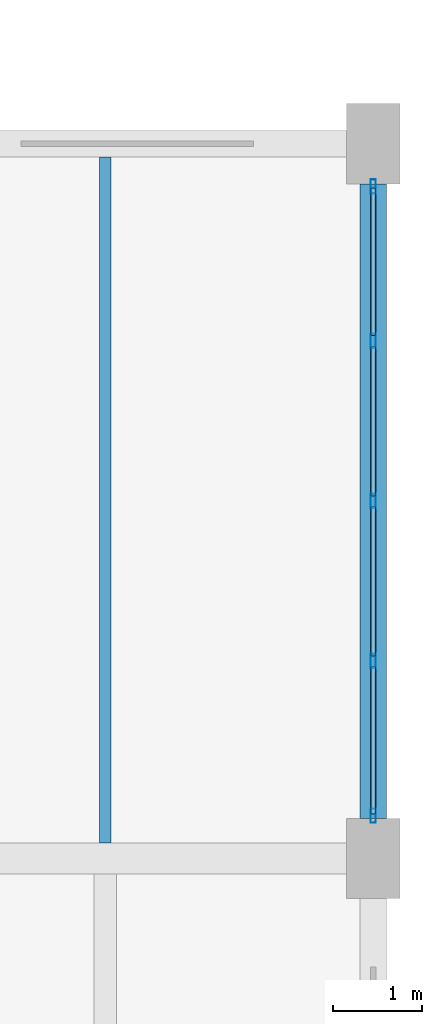
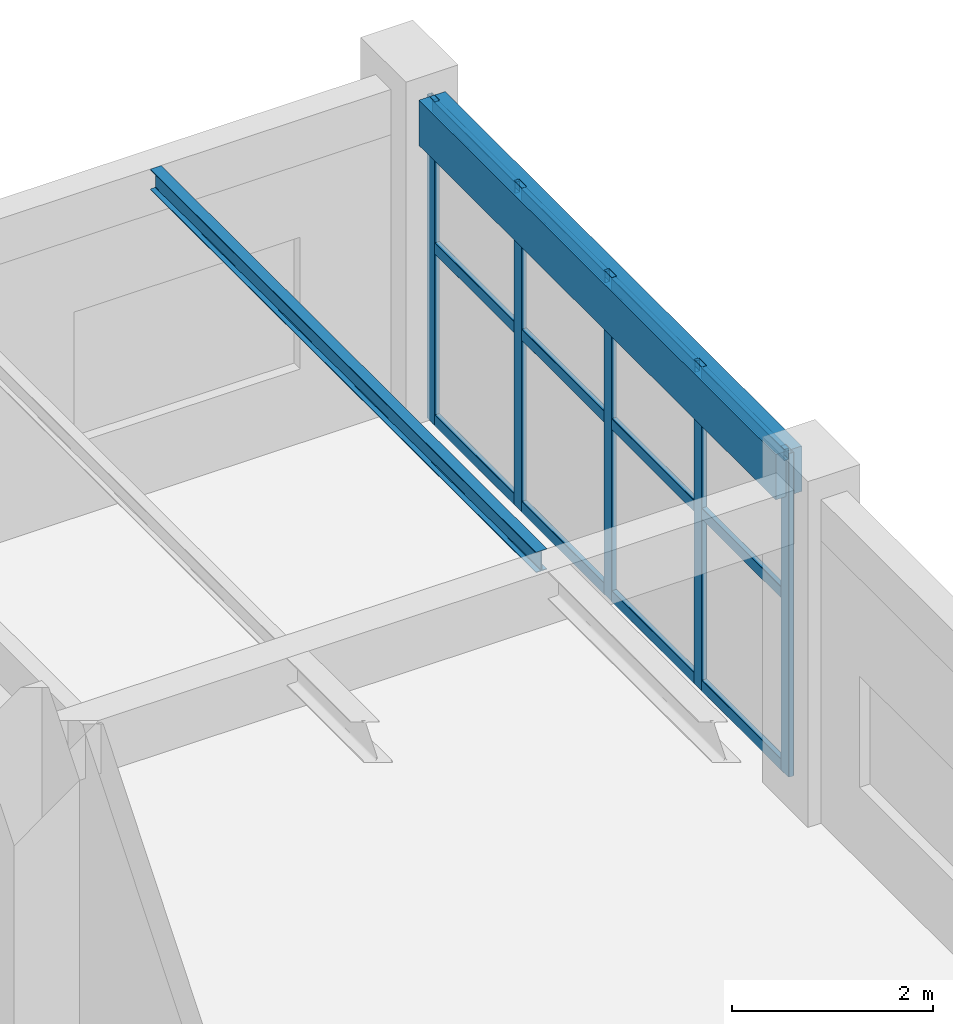
# One storey, part 98 of 128: 17 members, 2 beams, 1 element without a shape of its own.
"""IFC4 building model written with IfcOpenShell, lengths in metres."""

from ifc_helpers import new_model, si_unit, derived_unit, direction, frame, origin, origin_2d, place, context, subcontext, project, spatial, rectangle, hollow_rectangle, i_section, extrude, material, material_profile, profile_set, type_object, element, aggregate, save


model = new_model("IFC4")

# Units and contexts
model_context = context("Model", 3, precision=1e-05, world=origin(), true_north=direction((0.0, 1.0)))
body_context = subcontext(model_context, "Body", "Model", "MODEL_VIEW")
ifc_project = project(units=[si_unit("LENGTHUNIT", "METRE"), si_unit("AREAUNIT", "SQUARE_METRE"), si_unit("VOLUMEUNIT", "CUBIC_METRE"), si_unit("PLANEANGLEUNIT", "RADIAN"), si_unit("MASSUNIT", "GRAM", prefix="KILO"), derived_unit("THERMALTRANSMITTANCEUNIT", [(si_unit("MASSUNIT", "GRAM", prefix="KILO"), 1), (si_unit("TIMEUNIT", "SECOND"), -3), (si_unit("THERMODYNAMICTEMPERATUREUNIT", "KELVIN"), -1)])], contexts=[model_context])

# Site, building, storey
site_placement = place(None, origin())
site = spatial("IfcSite", under=ifc_project, at=site_placement, CompositionType="ELEMENT")
building_placement = place(site_placement, origin())
building = spatial("IfcBuilding", under=site, at=building_placement, Name="Zhenchuan Archway Interchange", CompositionType="ELEMENT")
storey_placement = place(building_placement, frame((0.0, 0.0, 14.39990234375)))
storey = spatial("IfcBuildingStorey", under=building, at=storey_placement, Name="L03", CompositionType="ELEMENT", Elevation=14.39990234375)

# Curtain wall, members
ifc_material_1 = material(Name="Anodised Aluminium", Category="aluminium")
curtain_wall_type = type_object("IfcCurtainWallType", Name="CW_UNIT_3", PredefinedType="NOTDEFINED", material=ifc_material_1)
curtain_wall_placement = place(storey_placement, origin())
curtain_wall = element("IfcCurtainWall", 1, at=curtain_wall_placement, inside=storey, type_object=curtain_wall_type, Name="Unitised curtain wall CW:L03:178", PredefinedType="NOTDEFINED")
ifc_material_profile_1 = material_profile(ifc_material_1, hollow_rectangle(XDim=0.06005859375, YDim=0.159912109375, WallThickness=0.00390625, InnerFilletRadius=0.00390625, OuterFilletRadius=0.008056640625, at=origin_2d()), Name="ALU 160x60x4")
ifc_profile_set_1 = profile_set([ifc_material_profile_1], Name="Anodised Aluminium")
member_type_1 = type_object("IfcMemberType", Name="CW_MUL_150", PredefinedType="MULLION", material=ifc_profile_set_1)
member_1_placement = place(storey_placement, frame((171.0, 103.52197265625, 0.0), z_axis=(0.0, 0.0, 1.0), x_axis=(1.0, 0.0, 0.0)))
member_1 = element("IfcMember", 2, at=member_1_placement, type_object=member_type_1, Name="CW:L03:178 mullion 0", PredefinedType="MULLION", context=body_context, shape_type="SweptSolid", body=[
    extrude(hollow_rectangle(XDim=0.06005859375, YDim=0.159912109375, WallThickness=0.00390625, InnerFilletRadius=0.00390625, OuterFilletRadius=0.008056640625, at=origin_2d()), origin(), (0.0, 0.0, 1.0), 3.93017578125),
])
member_2_placement = place(storey_placement, frame((171.0, 101.791015625, 0.0), z_axis=(0.0, 0.0, 1.0), x_axis=(1.0, 0.0, 0.0)))
member_2 = element("IfcMember", 3, at=member_2_placement, type_object=member_type_1, Name="CW:L03:178 mullion 1", PredefinedType="MULLION", context=body_context, shape_type="SweptSolid", body=[
    extrude(hollow_rectangle(XDim=0.06005859375, YDim=0.159912109375, WallThickness=0.00390625, InnerFilletRadius=0.00390625, OuterFilletRadius=0.008056640625, at=origin_2d()), origin(), (0.0, 0.0, 1.0), 3.93017578125),
])
member_3_placement = place(storey_placement, frame((171.0, 100.0, 0.0), z_axis=(0.0, 0.0, 1.0), x_axis=(1.0, 0.0, 0.0)))
member_3 = element("IfcMember", 4, at=member_3_placement, type_object=member_type_1, Name="CW:L03:178 mullion 2", PredefinedType="MULLION", context=body_context, shape_type="SweptSolid", body=[
    extrude(hollow_rectangle(XDim=0.06005859375, YDim=0.159912109375, WallThickness=0.00390625, InnerFilletRadius=0.00390625, OuterFilletRadius=0.008056640625, at=origin_2d()), origin(), (0.0, 0.0, 1.0), 3.93017578125),
])
member_4_placement = place(storey_placement, frame((171.0, 98.208984375, 0.0), z_axis=(0.0, 0.0, 1.0), x_axis=(1.0, 0.0, 0.0)))
member_4 = element("IfcMember", 5, at=member_4_placement, type_object=member_type_1, Name="CW:L03:178 mullion 3", PredefinedType="MULLION", context=body_context, shape_type="SweptSolid", body=[
    extrude(hollow_rectangle(XDim=0.06005859375, YDim=0.159912109375, WallThickness=0.00390625, InnerFilletRadius=0.00390625, OuterFilletRadius=0.008056640625, at=origin_2d()), origin(), (0.0, 0.0, 1.0), 3.93017578125),
])
member_5_placement = place(storey_placement, frame((171.0, 96.47802734375, 0.0), z_axis=(0.0, 0.0, 1.0), x_axis=(1.0, 0.0, 0.0)))
member_5 = element("IfcMember", 6, at=member_5_placement, type_object=member_type_1, Name="CW:L03:178 mullion 4", PredefinedType="MULLION", context=body_context, shape_type="SweptSolid", body=[
    extrude(hollow_rectangle(XDim=0.06005859375, YDim=0.159912109375, WallThickness=0.00390625, InnerFilletRadius=0.00390625, OuterFilletRadius=0.008056640625, at=origin_2d()), origin(), (0.0, 0.0, 1.0), 3.93017578125),
])
ifc_material_profile_2 = material_profile(ifc_material_1, hollow_rectangle(XDim=0.06005859375, YDim=0.139892578125, WallThickness=0.00341796875, InnerFilletRadius=0.00341796875, OuterFilletRadius=0.007080078125, at=origin_2d()), Name="ALU 140x60x3.5")
ifc_profile_set_2 = profile_set([ifc_material_profile_2], Name="Anodised Aluminium")
member_type_2 = type_object("IfcMemberType", Name="CW_TRN_140", PredefinedType="USERDEFINED", material=ifc_profile_set_2)
member_6_placement = place(storey_placement, frame((171.0, 103.501953125, 0.06005859375), z_axis=(0.0, -1.0, 0.0), x_axis=(1.0, 0.0, 0.0)))
member_6 = element("IfcMember", 7, at=member_6_placement, type_object=member_type_2, Name="CW:L03:178 transom 0-1", ObjectType="TRANSOM", PredefinedType="USERDEFINED", context=body_context, shape_type="SweptSolid", body=[
    extrude(hollow_rectangle(XDim=0.06005859375, YDim=0.139892578125, WallThickness=0.00341796875, InnerFilletRadius=0.00341796875, OuterFilletRadius=0.007080078125, at=origin_2d()), origin(), (0.0, 0.0, 1.0), 1.65087890625),
])
member_7_placement = place(storey_placement, frame((171.0, 103.501953125, 2.150634765625), z_axis=(0.0, -1.0, 0.0), x_axis=(1.0, 0.0, 0.0)))
member_7 = element("IfcMember", 8, at=member_7_placement, type_object=member_type_2, Name="CW:L03:178 transom 0-2", ObjectType="TRANSOM", PredefinedType="USERDEFINED", context=body_context, shape_type="SweptSolid", body=[
    extrude(hollow_rectangle(XDim=0.06005859375, YDim=0.139892578125, WallThickness=0.00341796875, InnerFilletRadius=0.00341796875, OuterFilletRadius=0.007080078125, at=origin_2d()), origin(), (0.0, 0.0, 1.0), 1.65087890625),
])
member_8_placement = place(storey_placement, frame((171.0, 103.501953125, 3.85009765625), z_axis=(0.0, -1.0, 0.0), x_axis=(1.0, 0.0, 0.0)))
member_8 = element("IfcMember", 9, at=member_8_placement, type_object=member_type_2, Name="CW:L03:178 transom 0-3", ObjectType="TRANSOM", PredefinedType="USERDEFINED", context=body_context, shape_type="SweptSolid", body=[
    extrude(hollow_rectangle(XDim=0.06005859375, YDim=0.139892578125, WallThickness=0.00341796875, InnerFilletRadius=0.00341796875, OuterFilletRadius=0.007080078125, at=origin_2d()), origin(), (0.0, 0.0, 1.0), 1.65087890625),
])
member_9_placement = place(storey_placement, frame((171.0, 101.73095703125, 0.06005859375), z_axis=(0.0, -1.0, 0.0), x_axis=(1.0, 0.0, 0.0)))
member_9 = element("IfcMember", 10, at=member_9_placement, type_object=member_type_2, Name="CW:L03:178 transom 1-1", ObjectType="TRANSOM", PredefinedType="USERDEFINED", context=body_context, shape_type="SweptSolid", body=[
    extrude(hollow_rectangle(XDim=0.06005859375, YDim=0.139892578125, WallThickness=0.00341796875, InnerFilletRadius=0.00341796875, OuterFilletRadius=0.007080078125, at=origin_2d()), origin(), (0.0, 0.0, 1.0), 1.6708984375),
])
member_10_placement = place(storey_placement, frame((171.0, 101.73095703125, 2.150634765625), z_axis=(0.0, -1.0, 0.0), x_axis=(1.0, 0.0, 0.0)))
member_10 = element("IfcMember", 11, at=member_10_placement, type_object=member_type_2, Name="CW:L03:178 transom 1-2", ObjectType="TRANSOM", PredefinedType="USERDEFINED", context=body_context, shape_type="SweptSolid", body=[
    extrude(hollow_rectangle(XDim=0.06005859375, YDim=0.139892578125, WallThickness=0.00341796875, InnerFilletRadius=0.00341796875, OuterFilletRadius=0.007080078125, at=origin_2d()), origin(), (0.0, 0.0, 1.0), 1.6708984375),
])
member_11_placement = place(storey_placement, frame((171.0, 101.73095703125, 3.85009765625), z_axis=(0.0, -1.0, 0.0), x_axis=(1.0, 0.0, 0.0)))
member_11 = element("IfcMember", 12, at=member_11_placement, type_object=member_type_2, Name="CW:L03:178 transom 1-3", ObjectType="TRANSOM", PredefinedType="USERDEFINED", context=body_context, shape_type="SweptSolid", body=[
    extrude(hollow_rectangle(XDim=0.06005859375, YDim=0.139892578125, WallThickness=0.00341796875, InnerFilletRadius=0.00341796875, OuterFilletRadius=0.007080078125, at=origin_2d()), origin(), (0.0, 0.0, 1.0), 1.6708984375),
])
member_12_placement = place(storey_placement, frame((171.0, 99.93994140625, 0.06005859375), z_axis=(0.0, -1.0, 0.0), x_axis=(1.0, 0.0, 0.0)))
member_12 = element("IfcMember", 13, at=member_12_placement, type_object=member_type_2, Name="CW:L03:178 transom 2-1", ObjectType="TRANSOM", PredefinedType="USERDEFINED", context=body_context, shape_type="SweptSolid", body=[
    extrude(hollow_rectangle(XDim=0.06005859375, YDim=0.139892578125, WallThickness=0.00341796875, InnerFilletRadius=0.00341796875, OuterFilletRadius=0.007080078125, at=origin_2d()), origin(), (0.0, 0.0, 1.0), 1.6708984375),
])
member_13_placement = place(storey_placement, frame((171.0, 99.93994140625, 2.150634765625), z_axis=(0.0, -1.0, 0.0), x_axis=(1.0, 0.0, 0.0)))
member_13 = element("IfcMember", 14, at=member_13_placement, type_object=member_type_2, Name="CW:L03:178 transom 2-2", ObjectType="TRANSOM", PredefinedType="USERDEFINED", context=body_context, shape_type="SweptSolid", body=[
    extrude(hollow_rectangle(XDim=0.06005859375, YDim=0.139892578125, WallThickness=0.00341796875, InnerFilletRadius=0.00341796875, OuterFilletRadius=0.007080078125, at=origin_2d()), origin(), (0.0, 0.0, 1.0), 1.6708984375),
])
member_14_placement = place(storey_placement, frame((171.0, 99.93994140625, 3.85009765625), z_axis=(0.0, -1.0, 0.0), x_axis=(1.0, 0.0, 0.0)))
member_14 = element("IfcMember", 15, at=member_14_placement, type_object=member_type_2, Name="CW:L03:178 transom 2-3", ObjectType="TRANSOM", PredefinedType="USERDEFINED", context=body_context, shape_type="SweptSolid", body=[
    extrude(hollow_rectangle(XDim=0.06005859375, YDim=0.139892578125, WallThickness=0.00341796875, InnerFilletRadius=0.00341796875, OuterFilletRadius=0.007080078125, at=origin_2d()), origin(), (0.0, 0.0, 1.0), 1.6708984375),
])
member_15_placement = place(storey_placement, frame((171.0, 98.14892578125, 0.06005859375), z_axis=(0.0, -1.0, 0.0), x_axis=(1.0, 0.0, 0.0)))
member_15 = element("IfcMember", 16, at=member_15_placement, type_object=member_type_2, Name="CW:L03:178 transom 3-1", ObjectType="TRANSOM", PredefinedType="USERDEFINED", context=body_context, shape_type="SweptSolid", body=[
    extrude(hollow_rectangle(XDim=0.06005859375, YDim=0.139892578125, WallThickness=0.00341796875, InnerFilletRadius=0.00341796875, OuterFilletRadius=0.007080078125, at=origin_2d()), origin(), (0.0, 0.0, 1.0), 1.65087890625),
])
member_16_placement = place(storey_placement, frame((171.0, 98.14892578125, 2.150634765625), z_axis=(0.0, -1.0, 0.0), x_axis=(1.0, 0.0, 0.0)))
member_16 = element("IfcMember", 17, at=member_16_placement, type_object=member_type_2, Name="CW:L03:178 transom 3-2", ObjectType="TRANSOM", PredefinedType="USERDEFINED", context=body_context, shape_type="SweptSolid", body=[
    extrude(hollow_rectangle(XDim=0.06005859375, YDim=0.139892578125, WallThickness=0.00341796875, InnerFilletRadius=0.00341796875, OuterFilletRadius=0.007080078125, at=origin_2d()), origin(), (0.0, 0.0, 1.0), 1.65087890625),
])
member_17_placement = place(storey_placement, frame((171.0, 98.14892578125, 3.85009765625), z_axis=(0.0, -1.0, 0.0), x_axis=(1.0, 0.0, 0.0)))
member_17 = element("IfcMember", 18, at=member_17_placement, type_object=member_type_2, Name="CW:L03:178 transom 3-3", ObjectType="TRANSOM", PredefinedType="USERDEFINED", context=body_context, shape_type="SweptSolid", body=[
    extrude(hollow_rectangle(XDim=0.06005859375, YDim=0.139892578125, WallThickness=0.00341796875, InnerFilletRadius=0.00341796875, OuterFilletRadius=0.007080078125, at=origin_2d()), origin(), (0.0, 0.0, 1.0), 1.65087890625),
])
aggregate(curtain_wall, [member_1, member_2, member_3, member_4, member_5, member_6, member_7, member_8, member_9, member_10, member_11, member_12, member_13, member_14, member_15, member_16, member_17])

# Beams
ifc_material_2 = material(Name="Steel Q355", Category="steel")
ifc_material_profile_3 = material_profile(ifc_material_2, i_section(OverallWidth=0.125, OverallDepth=0.25, WebThickness=0.006103515625, FlangeThickness=0.009033203125, FilletRadius=0.011962890625, at=origin_2d()), Name="HN 250x125")
ifc_profile_set_3 = profile_set([ifc_material_profile_3], Name="Steel Q355")
beam_type_1 = type_object("IfcBeamType", Name="JST_STL_HN250", PredefinedType="JOIST", material=ifc_profile_set_3)
beam_1_placement = place(storey_placement, frame((168.0, 96.175048828125, 3.80517578125), z_axis=(0.0, 1.0, 0.0), x_axis=(-1.0, 0.0, 0.0)))
element("IfcBeam", 19, at=beam_1_placement, inside=storey, type_object=beam_type_1, Name="Secondary joist 19-20/N-O #2 (L03)", PredefinedType="JOIST", context=body_context, shape_type="SweptSolid", body=[
    extrude(i_section(OverallWidth=0.125, OverallDepth=0.25, WebThickness=0.006103515625, FlangeThickness=0.009033203125, FilletRadius=0.011962890625, at=origin_2d()), origin(), (0.0, 0.0, 1.0), 7.675048828125),
])
ifc_material_3 = material(Name="Concrete C40", Category="concrete")
ifc_material_profile_4 = material_profile(ifc_material_3, rectangle(XDim=0.300048828125, YDim=0.550048828125, at=origin_2d()), Name="RC 300x550")
ifc_profile_set_4 = profile_set([ifc_material_profile_4], Name="Concrete C40")
beam_type_2 = type_object("IfcBeamType", Name="SP_RC_300x550", PredefinedType="SPANDREL", material=ifc_profile_set_4)
beam_2_placement = place(storey_placement, frame((171.0, 96.449951171875, 3.655029296875), z_axis=(0.0, 1.0, 0.0), x_axis=(-1.0, 0.0, 0.0)))
element("IfcBeam", 20, at=beam_2_placement, inside=storey, type_object=beam_type_2, Name="Beam 20:N-O (L03)", PredefinedType="SPANDREL", context=body_context, shape_type="SweptSolid", body=[
    extrude(rectangle(XDim=0.300048828125, YDim=0.550048828125, at=origin_2d()), origin(), (0.0, 0.0, 1.0), 7.10009765625),
])

save(model, "model.ifc")
